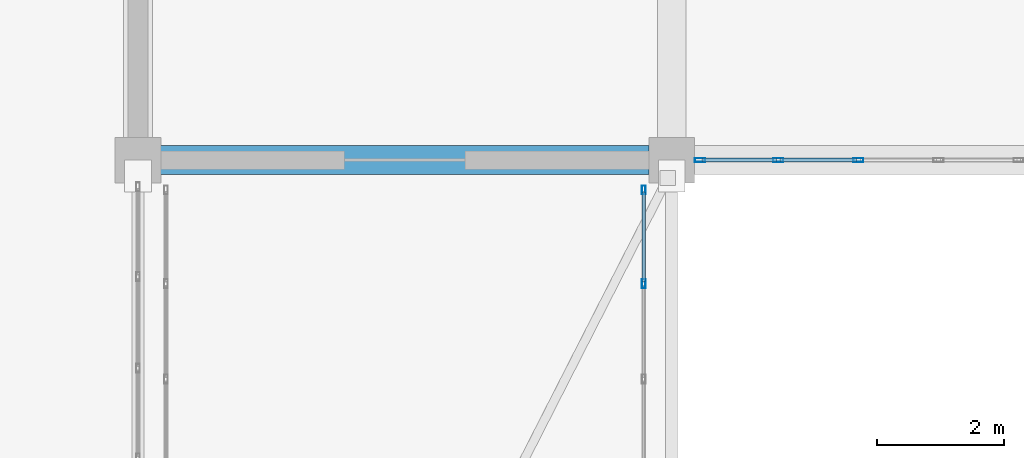
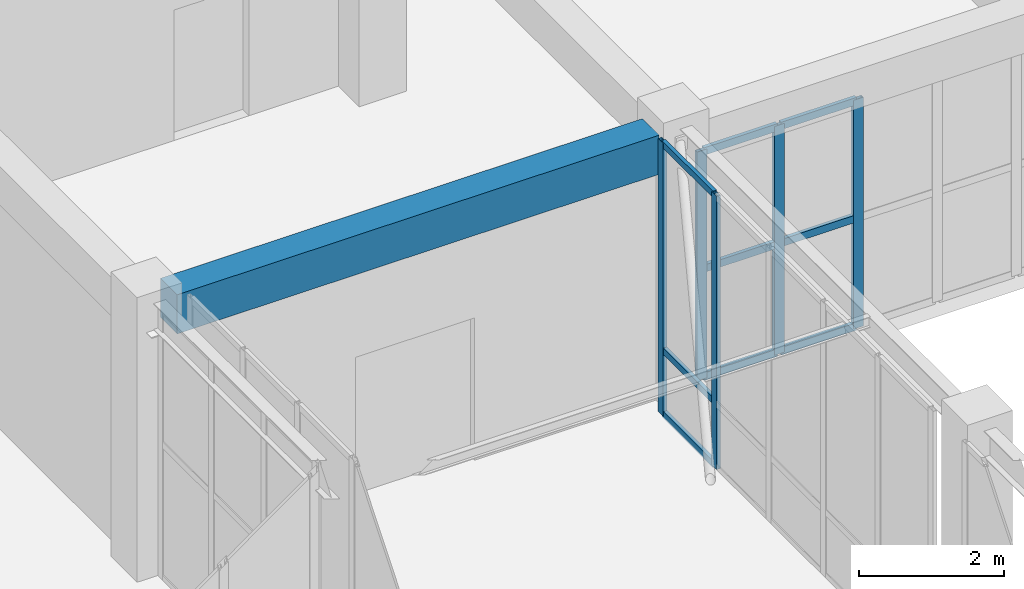
# One storey, part 44 of 158: 14 members, 1 beam, 2 elements without a shape of their own.
"""IFC4 building model written with IfcOpenShell, lengths in metres."""

from ifc_helpers import new_model, si_unit, direction, frame, origin, origin_2d, place, context, subcontext, project, spatial, rectangle, hollow_rectangle, extrude, material, layer, layer_set, material_profile, profile_set, type_object, element, aggregate, save


model = new_model("IFC4")

# Units and contexts
model_context = context("Model", 3, precision=1e-05, world=origin(), true_north=direction((0.0, 1.0)))
body_context = subcontext(model_context, "Body", "Model", "MODEL_VIEW")
ifc_project = project(units=[si_unit("LENGTHUNIT", "METRE"), si_unit("AREAUNIT", "SQUARE_METRE"), si_unit("VOLUMEUNIT", "CUBIC_METRE"), si_unit("PLANEANGLEUNIT", "RADIAN"), si_unit("MASSUNIT", "GRAM", prefix="KILO")], contexts=[model_context])

# Site, building, storey
site_placement = place(None, origin())
site = spatial("IfcSite", under=ifc_project, at=site_placement, CompositionType="ELEMENT")
building_placement = place(site_placement, origin())
building = spatial("IfcBuilding", under=site, at=building_placement, Name="Trelvath General Hospital", CompositionType="ELEMENT")
storey_placement = place(building_placement, frame((0.0, 0.0, 8.10009765625)))
storey = spatial("IfcBuildingStorey", under=building, at=storey_placement, Name="L02", CompositionType="ELEMENT", Elevation=8.10009765625)

# Beam
ifc_material_1 = material(Name="Concrete C35/45", Category="concrete")
ifc_material_profile_1 = material_profile(ifc_material_1, rectangle(XDim=0.4599609375, YDim=0.659912109375, at=origin_2d()), Name="RCB460x660")
ifc_profile_set_1 = profile_set([ifc_material_profile_1], Name="Concrete C35/45")
beam_type = type_object("IfcBeamType", Name="Beam RC460x660", PredefinedType="BEAM", material=ifc_profile_set_1)
beam_placement = place(storey_placement, frame((75.955078125, 42.0, 4.18994140625), z_axis=(1.0, 0.0, 0.0), x_axis=(0.0, 1.0, 0.0)))
element("IfcBeam", 1, at=beam_placement, inside=storey, type_object=beam_type, Name="Grid Beam BX-209F", PredefinedType="BEAM", context=body_context, shape_type="SweptSolid", body=[
    extrude(rectangle(XDim=0.4599609375, YDim=0.659912109375, at=origin_2d()), origin(), (0.0, 0.0, 1.0), 7.68994140625),
])

# Curtain wall, members
ifc_material_2 = material(Name="Anodised aluminium and low-E glass", Category="aluminium")
ifc_layer_1 = layer(ifc_material_2, 0.139892578125)
ifc_layer_set_1 = layer_set([ifc_layer_1], Name="Anodised aluminium and low-E glass")
curtain_wall_type_1 = type_object("IfcCurtainWallType", Name="CW Bridge 752 461", PredefinedType="USERDEFINED", material=ifc_layer_set_1)
curtain_wall_1_placement = place(storey_placement, origin())
curtain_wall_1 = element("IfcCurtainWall", 2, at=curtain_wall_1_placement, inside=storey, type_object=curtain_wall_type_1, Name="Glazed Bridge Curtain Wall BRG-S-C E L02", ObjectType="Unitised Glazed Curtain Wall", PredefinedType="USERDEFINED")
ifc_material_3 = material(Name="Anodised aluminium", Category="aluminium")
ifc_material_profile_2 = material_profile(ifc_material_3, hollow_rectangle(XDim=0.06005859375, YDim=0.139892578125, WallThickness=0.00390625, at=origin_2d()), Name="RHS60x140x4")
ifc_profile_set_2 = profile_set([ifc_material_profile_2], Name="Anodised aluminium")
member_type_1 = type_object("IfcMemberType", Name="CurtainMullion 60x140", PredefinedType="MULLION", material=ifc_profile_set_2)
member_1_placement = place(storey_placement, frame((83.56005859375, 41.530029296875, 0.0), z_axis=(0.0, 0.0, 1.0), x_axis=(1.0, 0.0, 0.0)))
member_1 = element("IfcMember", 3, at=member_1_placement, type_object=member_type_1, Name="CW-229 mullion 1", PredefinedType="MULLION", context=body_context, shape_type="SweptSolid", body=[
    extrude(hollow_rectangle(XDim=0.06005859375, YDim=0.139892578125, WallThickness=0.00390625, at=origin_2d()), origin(), (0.0, 0.0, 1.0), 4.60986328125),
])
member_2_placement = place(storey_placement, frame((83.56005859375, 40.055908203125, 0.0), z_axis=(0.0, 0.0, 1.0), x_axis=(1.0, 0.0, 0.0)))
member_2 = element("IfcMember", 4, at=member_2_placement, type_object=member_type_1, Name="CW-229 mullion 2", PredefinedType="MULLION", context=body_context, shape_type="SweptSolid", body=[
    extrude(hollow_rectangle(XDim=0.06005859375, YDim=0.139892578125, WallThickness=0.00390625, at=origin_2d()), origin(), (0.0, 0.0, 1.0), 4.60986328125),
])

ifc_material_4 = material(Name="Anodised aluminium and low-E glass", Category="aluminium")
ifc_layer_2 = layer(ifc_material_4, 0.159912109375)
ifc_layer_set_2 = layer_set([ifc_layer_2], Name="Anodised aluminium and low-E glass")
curtain_wall_type_2 = type_object("IfcCurtainWallType", Name="CW Facade 757 386 16", PredefinedType="USERDEFINED", material=ifc_layer_set_2)
curtain_wall_2_placement = place(storey_placement, origin())
curtain_wall_2 = element("IfcCurtainWall", 5, at=curtain_wall_2_placement, inside=storey, type_object=curtain_wall_type_2, Name="Facade Curtain Wall CW-042", ObjectType="Unitised Glazed Curtain Wall", PredefinedType="USERDEFINED")
ifc_material_5 = material(Name="Anodised aluminium", Category="aluminium")
ifc_material_profile_3 = material_profile(ifc_material_5, hollow_rectangle(XDim=0.06005859375, YDim=0.159912109375, WallThickness=0.00390625, at=origin_2d()), Name="RHS60x160x4")
ifc_profile_set_3 = profile_set([ifc_material_profile_3], Name="Anodised aluminium")
member_type_2 = type_object("IfcMemberType", Name="CurtainMullion 60x160", PredefinedType="MULLION", material=ifc_profile_set_3)
member_3_placement = place(storey_placement, frame((86.938232421875, 42.0, 0.0), z_axis=(0.0, 0.0, 1.0), x_axis=(0.0, -1.0, 0.0)))
member_3 = element("IfcMember", 6, at=member_3_placement, type_object=member_type_2, Name="CW-042 mullion 5", PredefinedType="MULLION", context=body_context, shape_type="SweptSolid", body=[
    extrude(hollow_rectangle(XDim=0.06005859375, YDim=0.159912109375, WallThickness=0.00390625, at=origin_2d()), origin(), (0.0, 0.0, 1.0), 3.85986328125),
])
member_4_placement = place(storey_placement, frame((85.6767578125, 42.0, 0.0), z_axis=(0.0, 0.0, 1.0), x_axis=(0.0, -1.0, 0.0)))
member_4 = element("IfcMember", 7, at=member_4_placement, type_object=member_type_2, Name="CW-042 mullion 6", PredefinedType="MULLION", context=body_context, shape_type="SweptSolid", body=[
    extrude(hollow_rectangle(XDim=0.06005859375, YDim=0.159912109375, WallThickness=0.00390625, at=origin_2d()), origin(), (0.0, 0.0, 1.0), 3.85986328125),
])
member_5_placement = place(storey_placement, frame((84.445068359375, 42.0, 0.0), z_axis=(0.0, 0.0, 1.0), x_axis=(0.0, -1.0, 0.0)))
member_5 = element("IfcMember", 8, at=member_5_placement, type_object=member_type_2, Name="CW-042 mullion 7", PredefinedType="MULLION", context=body_context, shape_type="SweptSolid", body=[
    extrude(hollow_rectangle(XDim=0.06005859375, YDim=0.159912109375, WallThickness=0.00390625, at=origin_2d()), origin(), (0.0, 0.0, 1.0), 3.85986328125),
])

# Member
ifc_material_6 = material(Name="Anodised aluminium", Category="aluminium")
ifc_material_profile_4 = material_profile(ifc_material_6, hollow_rectangle(XDim=0.06005859375, YDim=0.110107421875, WallThickness=0.00390625, at=origin_2d()), Name="RHS60x110x4")
ifc_profile_set_4 = profile_set([ifc_material_profile_4], Name="Anodised aluminium")
member_type_3 = type_object("IfcMemberType", Name="CurtainTransom 60x110", PredefinedType="USERDEFINED", material=ifc_profile_set_4)
member_6_placement = place(storey_placement, frame((83.56005859375, 41.5, 0.02978515625), z_axis=(0.0, -1.0, 0.0), x_axis=(1.0, 0.0, 0.0)))
member_6 = element("IfcMember", 9, at=member_6_placement, type_object=member_type_3, Name="CW-229 transom 1.1", ObjectType="TRANSOM", PredefinedType="USERDEFINED", context=body_context, shape_type="SweptSolid", body=[
    extrude(hollow_rectangle(XDim=0.06005859375, YDim=0.110107421875, WallThickness=0.00390625, at=origin_2d()), origin(), (0.0, 0.0, 1.0), 1.4140625),
])

member_7_placement = place(storey_placement, frame((83.56005859375, 41.5, 1.099853515625), z_axis=(0.0, -1.0, 0.0), x_axis=(1.0, 0.0, 0.0)))
member_7 = element("IfcMember", 10, at=member_7_placement, type_object=member_type_3, Name="CW-229 transom 1.2", ObjectType="TRANSOM", PredefinedType="USERDEFINED", context=body_context, shape_type="SweptSolid", body=[
    extrude(hollow_rectangle(XDim=0.06005859375, YDim=0.110107421875, WallThickness=0.00390625, at=origin_2d()), origin(), (0.0, 0.0, 1.0), 1.4140625),
])

member_8_placement = place(storey_placement, frame((83.56005859375, 41.5, 4.579833984375), z_axis=(0.0, -1.0, 0.0), x_axis=(1.0, 0.0, 0.0)))
member_8 = element("IfcMember", 11, at=member_8_placement, type_object=member_type_3, Name="CW-229 transom 1.3", ObjectType="TRANSOM", PredefinedType="USERDEFINED", context=body_context, shape_type="SweptSolid", body=[
    extrude(hollow_rectangle(XDim=0.06005859375, YDim=0.110107421875, WallThickness=0.00390625, at=origin_2d()), origin(), (0.0, 0.0, 1.0), 1.4140625),
])

aggregate(curtain_wall_1, [member_1, member_2, member_6, member_7, member_8])

ifc_material_7 = material(Name="Anodised aluminium", Category="aluminium")
ifc_material_profile_5 = material_profile(ifc_material_7, hollow_rectangle(XDim=0.06005859375, YDim=0.125, WallThickness=0.00390625, at=origin_2d()), Name="RHS60x125x4")
ifc_profile_set_5 = profile_set([ifc_material_profile_5], Name="Anodised aluminium")
member_type_4 = type_object("IfcMemberType", Name="CurtainTransom 60x125", PredefinedType="USERDEFINED", material=ifc_profile_set_5)
member_9_placement = place(storey_placement, frame((86.908447265625, 42.0, 0.02978515625), z_axis=(-1.0, 0.0, 0.0), x_axis=(0.0, -1.0, 0.0)))
member_9 = element("IfcMember", 12, at=member_9_placement, type_object=member_type_4, Name="CW-042 transom 5.1", ObjectType="TRANSOM", PredefinedType="USERDEFINED", context=body_context, shape_type="SweptSolid", body=[
    extrude(hollow_rectangle(XDim=0.06005859375, YDim=0.125, WallThickness=0.00390625, at=origin_2d()), origin(), (0.0, 0.0, 1.0), 1.20166015625),
])

member_10_placement = place(storey_placement, frame((86.908447265625, 42.0, 1.852783203125), z_axis=(-1.0, 0.0, 0.0), x_axis=(0.0, -1.0, 0.0)))
member_10 = element("IfcMember", 13, at=member_10_placement, type_object=member_type_4, Name="CW-042 transom 5.2", ObjectType="TRANSOM", PredefinedType="USERDEFINED", context=body_context, shape_type="SweptSolid", body=[
    extrude(hollow_rectangle(XDim=0.06005859375, YDim=0.125, WallThickness=0.00390625, at=origin_2d()), origin(), (0.0, 0.0, 1.0), 1.20166015625),
])

member_11_placement = place(storey_placement, frame((86.908447265625, 42.0, 3.829833984375), z_axis=(-1.0, 0.0, 0.0), x_axis=(0.0, -1.0, 0.0)))
member_11 = element("IfcMember", 14, at=member_11_placement, type_object=member_type_4, Name="CW-042 transom 5.3", ObjectType="TRANSOM", PredefinedType="USERDEFINED", context=body_context, shape_type="SweptSolid", body=[
    extrude(hollow_rectangle(XDim=0.06005859375, YDim=0.125, WallThickness=0.00390625, at=origin_2d()), origin(), (0.0, 0.0, 1.0), 1.20166015625),
])

member_12_placement = place(storey_placement, frame((85.646728515625, 42.0, 0.02978515625), z_axis=(-1.0, 0.0, 0.0), x_axis=(0.0, -1.0, 0.0)))
member_12 = element("IfcMember", 15, at=member_12_placement, type_object=member_type_4, Name="CW-042 transom 6.1", ObjectType="TRANSOM", PredefinedType="USERDEFINED", context=body_context, shape_type="SweptSolid", body=[
    extrude(hollow_rectangle(XDim=0.06005859375, YDim=0.125, WallThickness=0.00390625, at=origin_2d()), origin(), (0.0, 0.0, 1.0), 1.171630859375),
])

member_13_placement = place(storey_placement, frame((85.646728515625, 42.0, 1.852783203125), z_axis=(-1.0, 0.0, 0.0), x_axis=(0.0, -1.0, 0.0)))
member_13 = element("IfcMember", 16, at=member_13_placement, type_object=member_type_4, Name="CW-042 transom 6.2", ObjectType="TRANSOM", PredefinedType="USERDEFINED", context=body_context, shape_type="SweptSolid", body=[
    extrude(hollow_rectangle(XDim=0.06005859375, YDim=0.125, WallThickness=0.00390625, at=origin_2d()), origin(), (0.0, 0.0, 1.0), 1.171630859375),
])

member_14_placement = place(storey_placement, frame((85.646728515625, 42.0, 3.829833984375), z_axis=(-1.0, 0.0, 0.0), x_axis=(0.0, -1.0, 0.0)))
member_14 = element("IfcMember", 17, at=member_14_placement, type_object=member_type_4, Name="CW-042 transom 6.3", ObjectType="TRANSOM", PredefinedType="USERDEFINED", context=body_context, shape_type="SweptSolid", body=[
    extrude(hollow_rectangle(XDim=0.06005859375, YDim=0.125, WallThickness=0.00390625, at=origin_2d()), origin(), (0.0, 0.0, 1.0), 1.171630859375),
])

aggregate(curtain_wall_2, [member_3, member_4, member_5, member_9, member_10, member_11, member_12, member_13, member_14])

save(model, "model.ifc")
